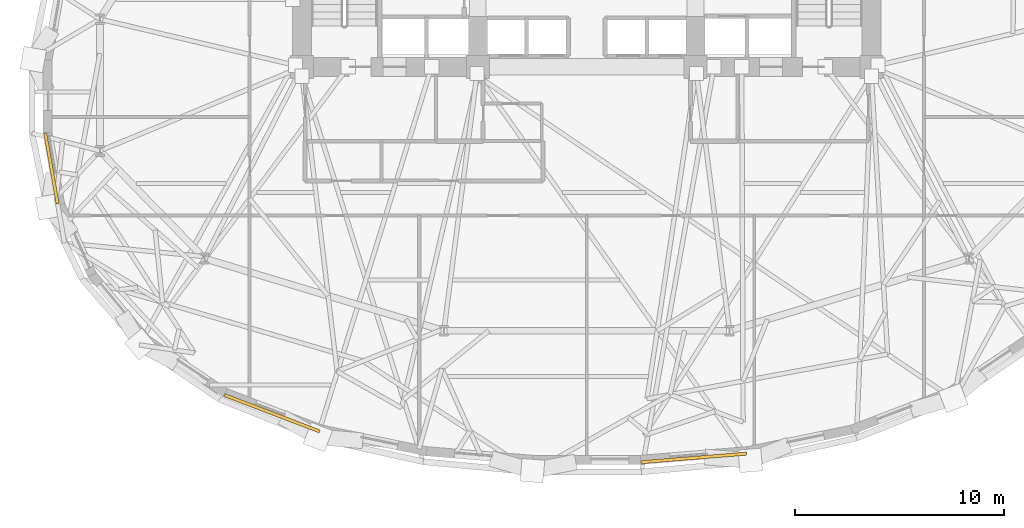
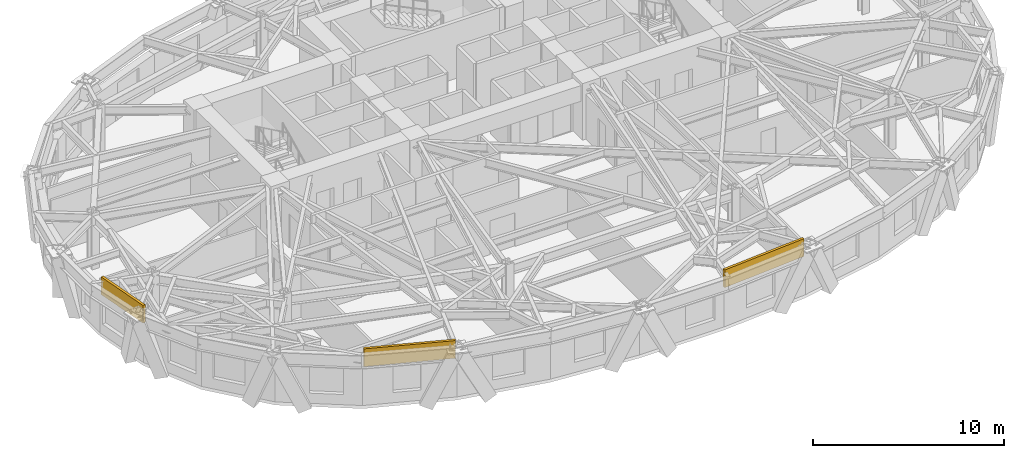
# One storey, part 10 of 13: 3 coverings.
"""IFC4 building model written with IfcOpenShell, lengths in metres."""

from ifc_helpers import new_model, si_unit, direction, frame, origin, origin_2d, place, context, subcontext, project, spatial, rectangle, extrude, material, layer, layer_set, type_object, element, save


model = new_model("IFC4")

# Units and contexts
model_context = context("Model", 3, precision=1e-05, world=origin(), true_north=direction((0.0, 1.0)))
body_context = subcontext(model_context, "Body", "Model", "MODEL_VIEW")
ifc_project = project(units=[si_unit("LENGTHUNIT", "METRE"), si_unit("AREAUNIT", "SQUARE_METRE"), si_unit("VOLUMEUNIT", "CUBIC_METRE"), si_unit("PLANEANGLEUNIT", "RADIAN"), si_unit("MASSUNIT", "GRAM", prefix="KILO")], contexts=[model_context])

# Site, building, storey
site_placement = place(None, origin())
site = spatial("IfcSite", under=ifc_project, at=site_placement, CompositionType="ELEMENT")
building_placement = place(site_placement, origin())
building = spatial("IfcBuilding", under=site, at=building_placement, Name="Keldmark Tower", CompositionType="ELEMENT")
storey_placement = place(building_placement, frame((0.0, 0.0, 34.199951171875)))
storey = spatial("IfcBuildingStorey", under=building, at=storey_placement, Name="L08", CompositionType="ELEMENT", Elevation=34.199951171875)

# Coverings
ifc_material = material(Name="Honed Kasota Buff Dolomitic Limestone", Category="masonry")
ifc_layer = layer(ifc_material, 0.074951171875)
ifc_layer_set = layer_set([ifc_layer], Name="Honed Kasota Buff Dolomitic Limestone")
covering_type = type_object("IfcCoveringType", Name="Kasota Buff Limestone Spandrel Cladding Band", PredefinedType="CLADDING", material=ifc_layer_set)
covering_1_placement = place(storey_placement, frame((-25.5673828125, -3.453125, 2.453125), z_axis=(0.0, 0.0, 1.0), x_axis=(0.174026303888, -0.984741004303, 0.0)))
element("IfcCovering", 1, at=covering_1_placement, inside=storey, type_object=covering_type, Name="L08 Kasota Limestone Spandrel Band 17", PredefinedType="CLADDING", context=body_context, shape_type="SweptSolid", body=[
    extrude(rectangle(XDim=3.412353515625, YDim=0.14990234375, at=origin_2d()), origin(), (0.0, 0.0, 1.0), 1.126953125),
])
covering_2_placement = place(storey_placement, frame((-15.0283203125, -15.144775390625, 2.453125), z_axis=(0.0, 0.0, 1.0), x_axis=(0.933936482392, -0.35743901138, 0.0)))
element("IfcCovering", 2, at=covering_2_placement, inside=storey, type_object=covering_type, Name="L08 Kasota Limestone Spandrel Band 21", PredefinedType="CLADDING", context=body_context, shape_type="SweptSolid", body=[
    extrude(rectangle(XDim=4.86865234375, YDim=0.14990234375, at=origin_2d()), origin(), (0.0, 0.0, 1.0), 1.126953125),
])
covering_3_placement = place(storey_placement, frame((5.118408203125, -17.2783203125, 2.453125), z_axis=(0.0, 0.0, 1.0), x_axis=(0.996731111958, 0.080790410667, 0.0)))
element("IfcCovering", 3, at=covering_3_placement, inside=storey, type_object=covering_type, Name="L08 Kasota Limestone Spandrel Band 25", PredefinedType="CLADDING", context=body_context, shape_type="SweptSolid", body=[
    extrude(rectangle(XDim=5.033203125, YDim=0.14990234375, at=origin_2d()), origin(), (0.0, 0.0, 1.0), 1.126953125),
])

save(model, "model.ifc")
